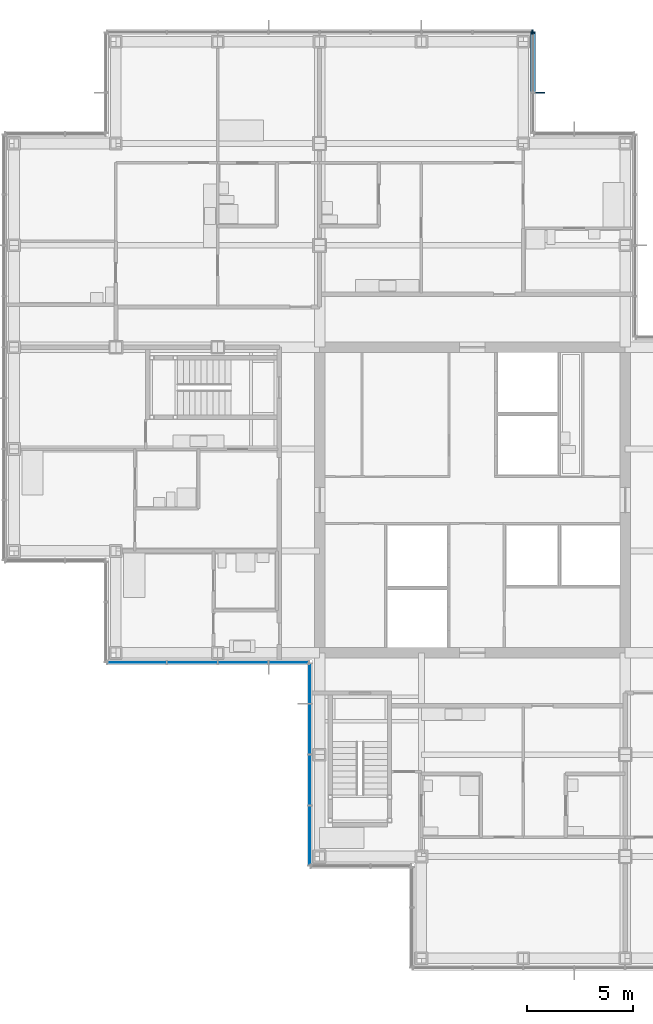
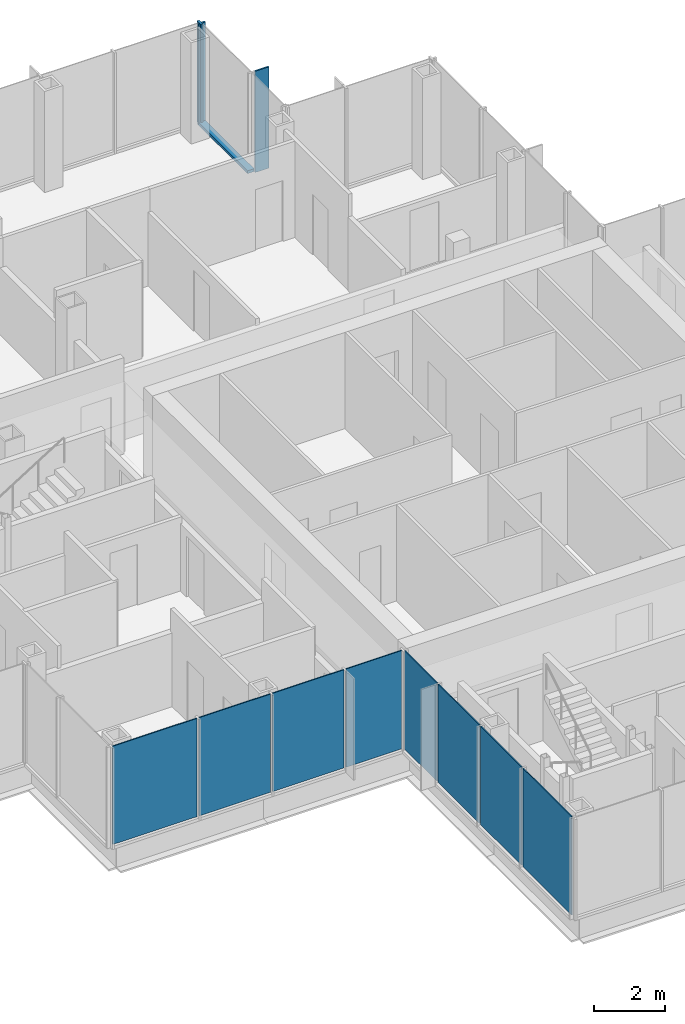
# One storey, part 11 of 20: 8 plates, 4 members, 4 elements without a shape of their own.
"""IFC4 building model written with IfcOpenShell, lengths in metres."""

import ifcopenshell
import ifcopenshell.guid

model = None  # the IFC model being written
_history = None  # IfcOwnerHistory: only IFC2X3 demands one
_inside = {}  # id of a spatial element -> (the spatial element, [elements in it])
_under = {}  # id of a project, library or spatial element -> (it, [spatial elements below it])
_declared = {}  # id of a project -> (the project, [libraries it declares])
_typed = {}  # id of a type object -> (the type object, [elements of that type])
_made_of = {}  # id of a material, layer set ... -> (it, [elements and type objects made of it])


def new_model(schema):
    """Start an empty IFC model of exactly this schema.

    Asked for "IFC4X3", IfcOpenShell would pick the latest addendum, in which some entities
    have other attributes; the version numbers below select the first issue.
    IFC2X3 requires an IfcOwnerHistory on every rooted entity: one is made here for all.
    """
    global model, _history
    if schema == "IFC4X3":
        model = ifcopenshell.file(schema_version=(4, 3, 0, 0))
    else:
        model = ifcopenshell.file(schema=schema)
    _inside.clear()
    _under.clear()
    _declared.clear()
    _typed.clear()
    _made_of.clear()
    _history = None
    if model.schema == "IFC2X3":
        org = make("IfcOrganization", Name="unknown")
        user = make(
            "IfcPersonAndOrganization",
            ThePerson=make("IfcPerson", FamilyName="unknown"),
            TheOrganization=org,
        )
        app = make(
            "IfcApplication",
            ApplicationDeveloper=org,
            Version="unknown",
            ApplicationFullName="unknown",
            ApplicationIdentifier="unknown",
        )
        _history = make(
            "IfcOwnerHistory",
            OwningUser=user,
            OwningApplication=app,
            ChangeAction="ADDED",
            CreationDate=0,
        )
    return model


def make(cls, **values):
    """One entity of the class cls with the attributes given. An attribute that is None is left unset."""
    return model.create_entity(
        cls, **{name: value for name, value in values.items() if value is not None}
    )


def rooted(cls, **values):
    """An entity with a GlobalId (a new one), such as an element, a storey or a relation."""
    return make(cls, GlobalId=ifcopenshell.guid.new(), OwnerHistory=_history, **values)


def si_unit(unit_type, name, prefix=None):
    """IfcSIUnit, for example si_unit("LENGTHUNIT", "METRE", prefix="MILLI")."""
    return make("IfcSIUnit", UnitType=unit_type, Prefix=prefix, Name=name)


def assignment(units):
    """IfcUnitAssignment: the units of a project."""
    return None if units is None else make("IfcUnitAssignment", Units=units)


def point(xyz):
    """IfcCartesianPoint."""
    return None if xyz is None else make("IfcCartesianPoint", Coordinates=xyz)


def direction(xyz):
    """IfcDirection."""
    return None if xyz is None else make("IfcDirection", DirectionRatios=xyz)


def frame(location, z_axis=None, x_axis=None):
    """IfcAxis2Placement3D, a coordinate frame: its origin and axes. An axis left out is left unset."""
    return make(
        "IfcAxis2Placement3D",
        Location=point(location),
        Axis=direction(z_axis),
        RefDirection=direction(x_axis),
    )


def frame_2d(location, x_axis=None):
    """IfcAxis2Placement2D, a coordinate frame in the plane: its origin and x axis."""
    return make(
        "IfcAxis2Placement2D", Location=point(location), RefDirection=direction(x_axis)
    )


def origin():
    """The frame at (0, 0, 0) with its axes left unset."""
    return frame((0.0, 0.0, 0.0))


def origin_2d():
    """The frame at (0, 0) in the plane with its x axis left unset."""
    return frame_2d((0.0, 0.0))


def place(relative_to, where):
    """IfcLocalPlacement: puts the frame where relative to a parent placement (None: the world)."""
    return make(
        "IfcLocalPlacement", PlacementRelTo=relative_to, RelativePlacement=where
    )


def context(
    kind, dimensions, precision=None, world=None, true_north=None, identifier=None
):
    """IfcGeometricRepresentationContext, for example the 3D "Model" context."""
    return make(
        "IfcGeometricRepresentationContext",
        ContextIdentifier=identifier,
        ContextType=kind,
        CoordinateSpaceDimension=dimensions,
        Precision=precision,
        WorldCoordinateSystem=world,
        TrueNorth=true_north,
    )


def subcontext(parent, identifier, kind, view, scale=None):
    """IfcGeometricRepresentationSubContext, for example "Body" below "Model"."""
    return make(
        "IfcGeometricRepresentationSubContext",
        ContextIdentifier=identifier,
        ContextType=kind,
        ParentContext=parent,
        TargetScale=scale,
        TargetView=view,
    )


def project(units=None, contexts=None):
    """IfcProject with its units and contexts."""
    return rooted(
        "IfcProject",
        Name="project",
        RepresentationContexts=contexts,
        UnitsInContext=assignment(units),
    )


def spatial(cls, under=None, at=None, **own):
    """A site, building, storey or space (cls), placed at a placement, below another one or the project."""
    s = rooted(cls, ObjectPlacement=at, **own)
    if under is not None:
        _under.setdefault(under.id(), (under, []))[1].append(s)
    return s


def profile(cls, at=None, kind="AREA", **sizes):
    """A parametric profile (cls). Its sizes go by their IFC names, for example OverallWidth=200.0."""
    return make(cls, ProfileType=kind, Position=at, **sizes)


def rectangle(**sizes):
    """IfcRectangleProfileDef."""
    return profile("IfcRectangleProfileDef", **sizes)


def extrude(swept, where, along, depth):
    """IfcExtrudedAreaSolid: the profile swept, set in the frame where, extruded along a direction by depth."""
    return make(
        "IfcExtrudedAreaSolid",
        SweptArea=swept,
        Position=where,
        ExtrudedDirection=direction(along),
        Depth=depth,
    )


def shape(context_of_items, identifier, shape_type, items):
    """IfcShapeRepresentation: the items that make up one representation, for example the "Body"."""
    return make(
        "IfcShapeRepresentation",
        ContextOfItems=context_of_items,
        RepresentationIdentifier=identifier,
        RepresentationType=shape_type,
        Items=items,
    )


def material(Name=None, Category=None):
    """IfcMaterial."""
    return make("IfcMaterial", Name=Name, Category=Category)


def layer(
    of_material, thickness, ventilated=None, Name=None, Category=None, Priority=None
):
    """IfcMaterialLayer: one layer of a wall or slab, of a material (None: an air gap)."""
    return make(
        "IfcMaterialLayer",
        Material=of_material,
        LayerThickness=thickness,
        IsVentilated=ventilated,
        Name=Name,
        Category=Category,
        Priority=Priority,
    )


def layer_set(layers, Name=None):
    """IfcMaterialLayerSet."""
    return make("IfcMaterialLayerSet", MaterialLayers=layers, LayerSetName=Name)


def material_profile(
    of_material, cross_section, Name=None, Category=None, Priority=None
):
    """IfcMaterialProfile: a cross section and its material."""
    return make(
        "IfcMaterialProfile",
        Name=Name,
        Material=of_material,
        Profile=cross_section,
        Priority=Priority,
        Category=Category,
    )


def profile_set(profiles, Name=None, composite=None):
    """IfcMaterialProfileSet."""
    return make(
        "IfcMaterialProfileSet",
        Name=Name,
        MaterialProfiles=profiles,
        CompositeProfile=composite,
    )


def made_of(thing, what):
    """Note that an element or type object is made of a material, layer set ...; save() writes the relation."""
    if what is not None:
        _made_of.setdefault(what.id(), (what, []))[1].append(thing)
    return thing


def type_object(cls, material=None, **own):
    """A type object (cls), such as IfcWallType, which elements share."""
    return made_of(rooted(cls, **own), material)


def element(
    cls,
    number,
    at=None,
    inside=None,
    cuts=None,
    type_object=None,
    material=None,
    context=None,
    identifier="Body",
    shape_type=None,
    held_by="IfcProductDefinitionShape",
    body=None,
    shapes=None,
    **own,
):
    """One element of the class cls, such as IfcWall. Its Tag is "e" and its number.

    at: its placement. inside: the storey or other place that contains it. cuts: it is an
    opening in that element (IfcRelVoidsElement). A single representation is given by context,
    identifier, shape_type and body (its items); several are given by shapes. held_by: the class
    of the entity that holds the representations. save() writes the other relations.
    """
    e = rooted(cls, Tag="e%d" % number, ObjectPlacement=at, **own)
    if body is not None:
        shapes = [shape(context, identifier, shape_type, body)]
    if shapes is not None:
        e.Representation = make(held_by, Representations=shapes)
    if inside is not None:
        _inside.setdefault(inside.id(), (inside, []))[1].append(e)
    if cuts is not None:
        rooted(
            "IfcRelVoidsElement", RelatingBuildingElement=cuts, RelatedOpeningElement=e
        )
    if type_object is not None:
        _typed.setdefault(type_object.id(), (type_object, []))[1].append(e)
    return made_of(e, material)


def aggregate(whole, parts):
    """IfcRelAggregates: a whole, such as a stair, and the parts it consists of."""
    return rooted("IfcRelAggregates", RelatingObject=whole, RelatedObjects=parts)


def save(model, path):
    """Write the relations noted so far, then the file.

    IfcRelAggregates (storeys below a building ...), IfcRelContainedInSpatialStructure (elements
    in a storey), IfcRelDefinesByType, IfcRelAssociatesMaterial and IfcRelDeclares: one each for
    every whole, place, type object, material and project.
    """
    for whole, parts in _under.values():
        aggregate(whole, parts)
    for where, things in _inside.values():
        rooted(
            "IfcRelContainedInSpatialStructure",
            RelatedElements=things,
            RelatingStructure=where,
        )
    for kind, things in _typed.values():
        rooted("IfcRelDefinesByType", RelatedObjects=things, RelatingType=kind)
    for what, things in _made_of.values():
        rooted("IfcRelAssociatesMaterial", RelatedObjects=things, RelatingMaterial=what)
    for by, libraries in _declared.values():
        rooted("IfcRelDeclares", RelatingContext=by, RelatedDefinitions=libraries)
    model.write(path)


model = new_model("IFC4")

# Units and contexts
model_context = context("Model", 3, precision=1e-05, world=origin(), true_north=direction((0.0, 1.0)))
body_context = subcontext(model_context, "Body", "Model", "MODEL_VIEW")
ifc_project = project(units=[si_unit("LENGTHUNIT", "METRE"), si_unit("AREAUNIT", "SQUARE_METRE"), si_unit("VOLUMEUNIT", "CUBIC_METRE"), si_unit("PLANEANGLEUNIT", "RADIAN"), si_unit("MASSUNIT", "GRAM", prefix="KILO")], contexts=[model_context])

# Site, building, storey
site_placement = place(None, origin())
site = spatial("IfcSite", under=ifc_project, at=site_placement, CompositionType="ELEMENT")
building_placement = place(site_placement, origin())
building = spatial("IfcBuilding", under=site, at=building_placement, Name="Kvirike Care Tower", CompositionType="ELEMENT")
storey_placement = place(building_placement, frame((0.0, 0.0, 126.0)))
storey = spatial("IfcBuildingStorey", under=building, at=storey_placement, Name="L34", CompositionType="ELEMENT", Elevation=126.0)

# Curtain wall, members
ifc_material_1 = material(Name="Anodised aluminium stick system", Category="aluminium")
curtain_wall_type = type_object("IfcCurtainWallType", Name="CW-B STICK CURTAIN WALL", PredefinedType="NOTDEFINED", material=ifc_material_1)
curtain_wall_1_placement = place(storey_placement, origin())
curtain_wall_1 = element("IfcCurtainWall", 1, at=curtain_wall_1_placement, inside=storey, type_object=curtain_wall_type, Name="Curtain wall L34 face 7", PredefinedType="NOTDEFINED")
ifc_material_2 = material(Name="Bronze anodised aluminium fin", Category="aluminium")
ifc_material_profile_1 = material_profile(ifc_material_2, rectangle(XDim=0.050048828125, YDim=0.449951171875, at=origin_2d()), Name="BRONZE FIN 450")
ifc_profile_set_1 = profile_set([ifc_material_profile_1], Name="Bronze anodised aluminium fin")
member_type_1 = type_object("IfcMemberType", Name="BRONZE FIN 450", PredefinedType="USERDEFINED", material=ifc_profile_set_1)
member_1_placement = place(storey_placement, frame((24.794921875, 55.199951171875, 0.0), z_axis=(0.0, 0.0, 1.0), x_axis=(0.0, 1.0, 0.0)))
member_1 = element("IfcMember", 2, at=member_1_placement, type_object=member_type_1, Name="Bronze fin L34 face 7.2", ObjectType="FIN", PredefinedType="USERDEFINED", context=body_context, shape_type="SweptSolid", body=[
    extrude(rectangle(XDim=0.050048828125, YDim=0.449951171875, at=origin_2d()), origin(), (0.0, 0.0, 1.0), 3.5),
])
ifc_material_3 = material(Name="Bronze anodised aluminium mullion", Category="aluminium")
ifc_material_profile_2 = material_profile(ifc_material_3, rectangle(XDim=0.06494140625, YDim=0.219970703125, at=origin_2d()), Name="CW-B MULLION 65x220")
ifc_profile_set_2 = profile_set([ifc_material_profile_2], Name="Bronze anodised aluminium mullion")
member_type_2 = type_object("IfcMemberType", Name="CW-B MULLION 65x220", PredefinedType="MULLION", material=ifc_profile_set_2)
member_2_placement = place(storey_placement, frame((24.4599609375, 58.027587890625, 0.0), z_axis=(0.0, 0.0, 1.0), x_axis=(0.0, 1.0, 0.0)))
member_2 = element("IfcMember", 3, at=member_2_placement, type_object=member_type_2, Name="CW-B mullion L34 face 7.3", PredefinedType="MULLION", context=body_context, shape_type="SweptSolid", body=[
    extrude(rectangle(XDim=0.06494140625, YDim=0.219970703125, at=origin_2d()), origin(), (0.0, 0.0, 1.0), 3.5),
])

# Curtain wall, member
curtain_wall_2_placement = place(storey_placement, origin())
curtain_wall_2 = element("IfcCurtainWall", 4, at=curtain_wall_2_placement, inside=storey, type_object=curtain_wall_type, Name="Curtain wall L34 face 8", PredefinedType="NOTDEFINED")
member_3_placement = place(storey_placement, frame((24.427490234375, 58.06005859375, 0.0), z_axis=(0.0, 0.0, 1.0), x_axis=(-1.0, 0.0, 0.0)))
member_3 = element("IfcMember", 5, at=member_3_placement, type_object=member_type_2, Name="CW-B mullion L34 face 8.1", PredefinedType="MULLION", context=body_context, shape_type="SweptSolid", body=[
    extrude(rectangle(XDim=0.06494140625, YDim=0.219970703125, at=origin_2d()), origin(), (0.0, 0.0, 1.0), 3.5),
])
aggregate(curtain_wall_2, [member_3])

# Member
ifc_material_4 = material(Name="Bronze anodised aluminium transom", Category="aluminium")
ifc_material_profile_3 = material_profile(ifc_material_4, rectangle(XDim=0.219970703125, YDim=0.10009765625, at=origin_2d()), Name="CW-B TRANSOM 220x100")
ifc_profile_set_3 = profile_set([ifc_material_profile_3], Name="Bronze anodised aluminium transom")
member_type_3 = type_object("IfcMemberType", Name="CW-B TRANSOM 220x100", PredefinedType="USERDEFINED", material=ifc_profile_set_3)
member_4_placement = place(storey_placement, frame((24.4599609375, 55.232421875, 0.050048828125), z_axis=(0.0, 1.0, 0.0), x_axis=(-1.0, 0.0, 0.0)))
member_4 = element("IfcMember", 6, at=member_4_placement, type_object=member_type_3, Name="CW-B sill transom L34 face 7.2", ObjectType="TRANSOM", PredefinedType="USERDEFINED", context=body_context, shape_type="SweptSolid", body=[
    extrude(rectangle(XDim=0.219970703125, YDim=0.10009765625, at=origin_2d()), origin(), (0.0, 0.0, 1.0), 2.7626953125),
])

aggregate(curtain_wall_1, [member_1, member_2, member_4])

# Curtain wall, plates
curtain_wall_3_placement = place(storey_placement, origin())
curtain_wall_3 = element("IfcCurtainWall", 7, at=curtain_wall_3_placement, inside=storey, type_object=curtain_wall_type, Name="Curtain wall L34 face 14", PredefinedType="NOTDEFINED")
ifc_material_5 = material(Name="Tinted double glazed unit", Category="glass")
ifc_layer = layer(ifc_material_5, 0.035888671875)
ifc_layer_set = layer_set([ifc_layer], Name="TINTED VISION PANEL 36")
plate_type = type_object("IfcPlateType", Name="TINTED VISION PANEL 36", PredefinedType="CURTAIN_PANEL", material=ifc_layer_set)
plate_1_placement = place(storey_placement, frame((5.7861328125, 28.340087890625, 0.10009765625), z_axis=(0.0, 0.0, 1.0), x_axis=(1.0, 0.0, 0.0)))
plate_1 = element("IfcPlate", 8, at=plate_1_placement, type_object=plate_type, Name="CW-B panel L34 face 14.1", PredefinedType="CURTAIN_PANEL", context=body_context, shape_type="SweptSolid", body=[
    extrude(rectangle(XDim=2.762451171875, YDim=0.035888671875, at=origin_2d()), origin(), (0.0, 0.0, 1.0), 3.39990234375),
])
plate_2_placement = place(storey_placement, frame((8.39990234375, 28.340087890625, 0.10009765625), z_axis=(0.0, 0.0, 1.0), x_axis=(1.0, 0.0, 0.0)))
plate_2 = element("IfcPlate", 9, at=plate_2_placement, type_object=plate_type, Name="CW-B panel L34 face 14.2", PredefinedType="CURTAIN_PANEL", context=body_context, shape_type="SweptSolid", body=[
    extrude(rectangle(XDim=2.3349609375, YDim=0.035888671875, at=origin_2d()), origin(), (0.0, 0.0, 1.0), 3.39990234375),
])
plate_3_placement = place(storey_placement, frame((10.800048828125, 28.340087890625, 0.10009765625), z_axis=(0.0, 0.0, 1.0), x_axis=(1.0, 0.0, 0.0)))
plate_3 = element("IfcPlate", 10, at=plate_3_placement, type_object=plate_type, Name="CW-B panel L34 face 14.3", PredefinedType="CURTAIN_PANEL", context=body_context, shape_type="SweptSolid", body=[
    extrude(rectangle(XDim=2.3349609375, YDim=0.035888671875, at=origin_2d()), origin(), (0.0, 0.0, 1.0), 3.39990234375),
])
plate_4_placement = place(storey_placement, frame((12.953857421875, 28.340087890625, 0.10009765625), z_axis=(0.0, 0.0, 1.0), x_axis=(1.0, 0.0, 0.0)))
plate_4 = element("IfcPlate", 11, at=plate_4_placement, type_object=plate_type, Name="CW-B panel L34 face 14.4", PredefinedType="CURTAIN_PANEL", context=body_context, shape_type="SweptSolid", body=[
    extrude(rectangle(XDim=1.842529296875, YDim=0.035888671875, at=origin_2d()), origin(), (0.0, 0.0, 1.0), 3.39990234375),
])
aggregate(curtain_wall_3, [plate_1, plate_2, plate_3, plate_4])

curtain_wall_4_placement = place(storey_placement, origin())
curtain_wall_4 = element("IfcCurtainWall", 12, at=curtain_wall_4_placement, inside=storey, type_object=curtain_wall_type, Name="Curtain wall L34 face 15", PredefinedType="NOTDEFINED")
plate_5_placement = place(storey_placement, frame((13.93994140625, 27.353759765625, 0.10009765625), z_axis=(0.0, 0.0, 1.0), x_axis=(0.0, -1.0, 0.0)))
plate_5 = element("IfcPlate", 13, at=plate_5_placement, type_object=plate_type, Name="CW-B panel L34 face 15.1", PredefinedType="CURTAIN_PANEL", context=body_context, shape_type="SweptSolid", body=[
    extrude(rectangle(XDim=1.842529296875, YDim=0.035888671875, at=origin_2d()), origin(), (0.0, 0.0, 1.0), 3.39990234375),
])
plate_6_placement = place(storey_placement, frame((13.93994140625, 25.199951171875, 0.10009765625), z_axis=(0.0, 0.0, 1.0), x_axis=(0.0, -1.0, 0.0)))
plate_6 = element("IfcPlate", 14, at=plate_6_placement, type_object=plate_type, Name="CW-B panel L34 face 15.2", PredefinedType="CURTAIN_PANEL", context=body_context, shape_type="SweptSolid", body=[
    extrude(rectangle(XDim=2.3349609375, YDim=0.035888671875, at=origin_2d()), origin(), (0.0, 0.0, 1.0), 3.39990234375),
])
plate_7_placement = place(storey_placement, frame((13.93994140625, 22.800048828125, 0.10009765625), z_axis=(0.0, 0.0, 1.0), x_axis=(0.0, -1.0, 0.0)))
plate_7 = element("IfcPlate", 15, at=plate_7_placement, type_object=plate_type, Name="CW-B panel L34 face 15.3", PredefinedType="CURTAIN_PANEL", context=body_context, shape_type="SweptSolid", body=[
    extrude(rectangle(XDim=2.3349609375, YDim=0.035888671875, at=origin_2d()), origin(), (0.0, 0.0, 1.0), 3.39990234375),
])
plate_8_placement = place(storey_placement, frame((13.93994140625, 20.186279296875, 0.10009765625), z_axis=(0.0, 0.0, 1.0), x_axis=(0.0, -1.0, 0.0)))
plate_8 = element("IfcPlate", 16, at=plate_8_placement, type_object=plate_type, Name="CW-B panel L34 face 15.4", PredefinedType="CURTAIN_PANEL", context=body_context, shape_type="SweptSolid", body=[
    extrude(rectangle(XDim=2.762451171875, YDim=0.035888671875, at=origin_2d()), origin(), (0.0, 0.0, 1.0), 3.39990234375),
])
aggregate(curtain_wall_4, [plate_5, plate_6, plate_7, plate_8])

save(model, "model.ifc")
